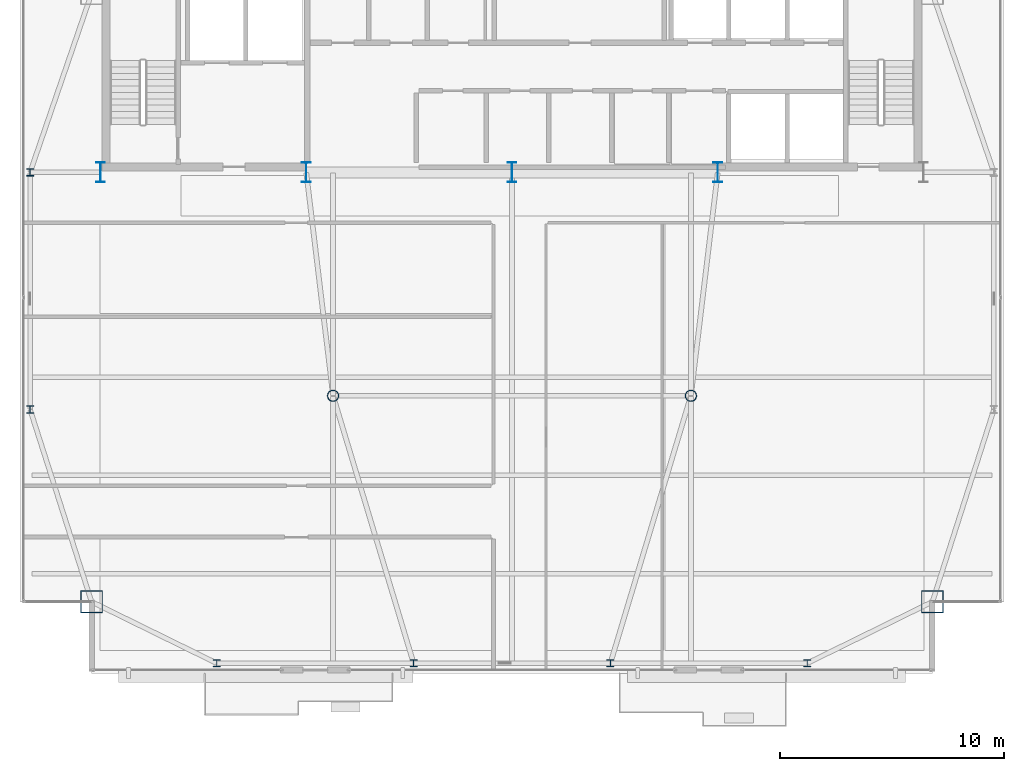
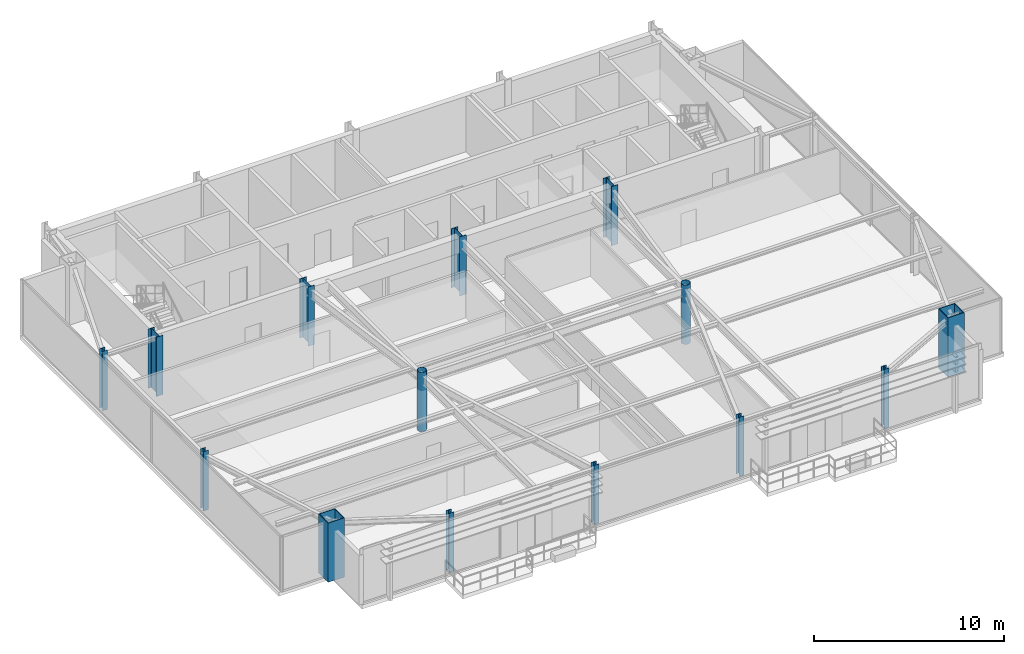
# One storey, part 1 of 23: 14 columns.
"""IFC4 building model written with IfcOpenShell, lengths in metres."""

import ifcopenshell
import ifcopenshell.guid

model = None  # the IFC model being written
_history = None  # IfcOwnerHistory: only IFC2X3 demands one
_inside = {}  # id of a spatial element -> (the spatial element, [elements in it])
_under = {}  # id of a project, library or spatial element -> (it, [spatial elements below it])
_declared = {}  # id of a project -> (the project, [libraries it declares])
_typed = {}  # id of a type object -> (the type object, [elements of that type])
_made_of = {}  # id of a material, layer set ... -> (it, [elements and type objects made of it])


def new_model(schema):
    """Start an empty IFC model of exactly this schema.

    Asked for "IFC4X3", IfcOpenShell would pick the latest addendum, in which some entities
    have other attributes; the version numbers below select the first issue.
    IFC2X3 requires an IfcOwnerHistory on every rooted entity: one is made here for all.
    """
    global model, _history
    if schema == "IFC4X3":
        model = ifcopenshell.file(schema_version=(4, 3, 0, 0))
    else:
        model = ifcopenshell.file(schema=schema)
    _inside.clear()
    _under.clear()
    _declared.clear()
    _typed.clear()
    _made_of.clear()
    _history = None
    if model.schema == "IFC2X3":
        org = make("IfcOrganization", Name="unknown")
        user = make(
            "IfcPersonAndOrganization",
            ThePerson=make("IfcPerson", FamilyName="unknown"),
            TheOrganization=org,
        )
        app = make(
            "IfcApplication",
            ApplicationDeveloper=org,
            Version="unknown",
            ApplicationFullName="unknown",
            ApplicationIdentifier="unknown",
        )
        _history = make(
            "IfcOwnerHistory",
            OwningUser=user,
            OwningApplication=app,
            ChangeAction="ADDED",
            CreationDate=0,
        )
    return model


def make(cls, **values):
    """One entity of the class cls with the attributes given. An attribute that is None is left unset."""
    return model.create_entity(
        cls, **{name: value for name, value in values.items() if value is not None}
    )


def rooted(cls, **values):
    """An entity with a GlobalId (a new one), such as an element, a storey or a relation."""
    return make(cls, GlobalId=ifcopenshell.guid.new(), OwnerHistory=_history, **values)


def si_unit(unit_type, name, prefix=None):
    """IfcSIUnit, for example si_unit("LENGTHUNIT", "METRE", prefix="MILLI")."""
    return make("IfcSIUnit", UnitType=unit_type, Prefix=prefix, Name=name)


def assignment(units):
    """IfcUnitAssignment: the units of a project."""
    return None if units is None else make("IfcUnitAssignment", Units=units)


def point(xyz):
    """IfcCartesianPoint."""
    return None if xyz is None else make("IfcCartesianPoint", Coordinates=xyz)


def direction(xyz):
    """IfcDirection."""
    return None if xyz is None else make("IfcDirection", DirectionRatios=xyz)


def frame(location, z_axis=None, x_axis=None):
    """IfcAxis2Placement3D, a coordinate frame: its origin and axes. An axis left out is left unset."""
    return make(
        "IfcAxis2Placement3D",
        Location=point(location),
        Axis=direction(z_axis),
        RefDirection=direction(x_axis),
    )


def frame_2d(location, x_axis=None):
    """IfcAxis2Placement2D, a coordinate frame in the plane: its origin and x axis."""
    return make(
        "IfcAxis2Placement2D", Location=point(location), RefDirection=direction(x_axis)
    )


def origin():
    """The frame at (0, 0, 0) with its axes left unset."""
    return frame((0.0, 0.0, 0.0))


def origin_2d():
    """The frame at (0, 0) in the plane with its x axis left unset."""
    return frame_2d((0.0, 0.0))


def place(relative_to, where):
    """IfcLocalPlacement: puts the frame where relative to a parent placement (None: the world)."""
    return make(
        "IfcLocalPlacement", PlacementRelTo=relative_to, RelativePlacement=where
    )


def context(
    kind, dimensions, precision=None, world=None, true_north=None, identifier=None
):
    """IfcGeometricRepresentationContext, for example the 3D "Model" context."""
    return make(
        "IfcGeometricRepresentationContext",
        ContextIdentifier=identifier,
        ContextType=kind,
        CoordinateSpaceDimension=dimensions,
        Precision=precision,
        WorldCoordinateSystem=world,
        TrueNorth=true_north,
    )


def subcontext(parent, identifier, kind, view, scale=None):
    """IfcGeometricRepresentationSubContext, for example "Body" below "Model"."""
    return make(
        "IfcGeometricRepresentationSubContext",
        ContextIdentifier=identifier,
        ContextType=kind,
        ParentContext=parent,
        TargetScale=scale,
        TargetView=view,
    )


def project(units=None, contexts=None):
    """IfcProject with its units and contexts."""
    return rooted(
        "IfcProject",
        Name="project",
        RepresentationContexts=contexts,
        UnitsInContext=assignment(units),
    )


def spatial(cls, under=None, at=None, **own):
    """A site, building, storey or space (cls), placed at a placement, below another one or the project."""
    s = rooted(cls, ObjectPlacement=at, **own)
    if under is not None:
        _under.setdefault(under.id(), (under, []))[1].append(s)
    return s


def profile(cls, at=None, kind="AREA", **sizes):
    """A parametric profile (cls). Its sizes go by their IFC names, for example OverallWidth=200.0."""
    return make(cls, ProfileType=kind, Position=at, **sizes)


def hollow_rectangle(**sizes):
    """IfcRectangleHollowProfileDef."""
    return profile("IfcRectangleHollowProfileDef", **sizes)


def hollow_circle(**sizes):
    """IfcCircleHollowProfileDef."""
    return profile("IfcCircleHollowProfileDef", **sizes)


def i_section(**sizes):
    """IfcIShapeProfileDef."""
    return profile("IfcIShapeProfileDef", **sizes)


def extrude(swept, where, along, depth):
    """IfcExtrudedAreaSolid: the profile swept, set in the frame where, extruded along a direction by depth."""
    return make(
        "IfcExtrudedAreaSolid",
        SweptArea=swept,
        Position=where,
        ExtrudedDirection=direction(along),
        Depth=depth,
    )


def shape(context_of_items, identifier, shape_type, items):
    """IfcShapeRepresentation: the items that make up one representation, for example the "Body"."""
    return make(
        "IfcShapeRepresentation",
        ContextOfItems=context_of_items,
        RepresentationIdentifier=identifier,
        RepresentationType=shape_type,
        Items=items,
    )


def source(mapping_origin, context_of_items, identifier, shape_type, items):
    """IfcRepresentationMap: a shape defined once, which mapped items show again and again."""
    return make(
        "IfcRepresentationMap",
        MappingOrigin=mapping_origin,
        MappedRepresentation=shape(context_of_items, identifier, shape_type, items),
    )


def transform(
    local_origin,
    x_axis=None,
    y_axis=None,
    z_axis=None,
    scale=None,
    scale2=None,
    scale3=None,
    uniform=True,
):
    """IfcCartesianTransformationOperator3D, or its non-uniform kind. x_axis, y_axis, z_axis: its Axis1, 2, 3."""
    if uniform:
        return make(
            "IfcCartesianTransformationOperator3D",
            Axis1=direction(x_axis),
            Axis2=direction(y_axis),
            LocalOrigin=point(local_origin),
            Scale=scale,
            Axis3=direction(z_axis),
        )
    return make(
        "IfcCartesianTransformationOperator3DnonUniform",
        Axis1=direction(x_axis),
        Axis2=direction(y_axis),
        LocalOrigin=point(local_origin),
        Scale=scale,
        Axis3=direction(z_axis),
        Scale2=scale2,
        Scale3=scale3,
    )


def mapped(mapping_source, mapping_target):
    """IfcMappedItem: shows the shape of a source again, moved by a transform."""
    return make(
        "IfcMappedItem", MappingSource=mapping_source, MappingTarget=mapping_target
    )


def material(Name=None, Category=None):
    """IfcMaterial."""
    return make("IfcMaterial", Name=Name, Category=Category)


def material_profile(
    of_material, cross_section, Name=None, Category=None, Priority=None
):
    """IfcMaterialProfile: a cross section and its material."""
    return make(
        "IfcMaterialProfile",
        Name=Name,
        Material=of_material,
        Profile=cross_section,
        Priority=Priority,
        Category=Category,
    )


def profile_set(profiles, Name=None, composite=None):
    """IfcMaterialProfileSet."""
    return make(
        "IfcMaterialProfileSet",
        Name=Name,
        MaterialProfiles=profiles,
        CompositeProfile=composite,
    )


def made_of(thing, what):
    """Note that an element or type object is made of a material, layer set ...; save() writes the relation."""
    if what is not None:
        _made_of.setdefault(what.id(), (what, []))[1].append(thing)
    return thing


def type_object(cls, material=None, **own):
    """A type object (cls), such as IfcWallType, which elements share."""
    return made_of(rooted(cls, **own), material)


def type_shapes(of_type, sources):
    """Give a type object the sources (RepresentationMaps) that its elements show as mapped items."""
    of_type.RepresentationMaps = sources


def element(
    cls,
    number,
    at=None,
    inside=None,
    cuts=None,
    type_object=None,
    material=None,
    context=None,
    identifier="Body",
    shape_type=None,
    held_by="IfcProductDefinitionShape",
    body=None,
    shapes=None,
    **own,
):
    """One element of the class cls, such as IfcWall. Its Tag is "e" and its number.

    at: its placement. inside: the storey or other place that contains it. cuts: it is an
    opening in that element (IfcRelVoidsElement). A single representation is given by context,
    identifier, shape_type and body (its items); several are given by shapes. held_by: the class
    of the entity that holds the representations. save() writes the other relations.
    """
    e = rooted(cls, Tag="e%d" % number, ObjectPlacement=at, **own)
    if body is not None:
        shapes = [shape(context, identifier, shape_type, body)]
    if shapes is not None:
        e.Representation = make(held_by, Representations=shapes)
    if inside is not None:
        _inside.setdefault(inside.id(), (inside, []))[1].append(e)
    if cuts is not None:
        rooted(
            "IfcRelVoidsElement", RelatingBuildingElement=cuts, RelatedOpeningElement=e
        )
    if type_object is not None:
        _typed.setdefault(type_object.id(), (type_object, []))[1].append(e)
    return made_of(e, material)


def aggregate(whole, parts):
    """IfcRelAggregates: a whole, such as a stair, and the parts it consists of."""
    return rooted("IfcRelAggregates", RelatingObject=whole, RelatedObjects=parts)


def save(model, path):
    """Write the relations noted so far, then the file.

    IfcRelAggregates (storeys below a building ...), IfcRelContainedInSpatialStructure (elements
    in a storey), IfcRelDefinesByType, IfcRelAssociatesMaterial and IfcRelDeclares: one each for
    every whole, place, type object, material and project.
    """
    for whole, parts in _under.values():
        aggregate(whole, parts)
    for where, things in _inside.values():
        rooted(
            "IfcRelContainedInSpatialStructure",
            RelatedElements=things,
            RelatingStructure=where,
        )
    for kind, things in _typed.values():
        rooted("IfcRelDefinesByType", RelatedObjects=things, RelatingType=kind)
    for what, things in _made_of.values():
        rooted("IfcRelAssociatesMaterial", RelatedObjects=things, RelatingMaterial=what)
    for by, libraries in _declared.values():
        rooted("IfcRelDeclares", RelatingContext=by, RelatedDefinitions=libraries)
    model.write(path)


model = new_model("IFC4")

# Units and contexts
model_context = context("Model", 3, precision=1e-05, world=origin(), true_north=direction((0.0, 1.0)))
body_context = subcontext(model_context, "Body", "Model", "MODEL_VIEW")
ifc_project = project(units=[si_unit("LENGTHUNIT", "METRE"), si_unit("AREAUNIT", "SQUARE_METRE"), si_unit("VOLUMEUNIT", "CUBIC_METRE"), si_unit("PLANEANGLEUNIT", "RADIAN"), si_unit("MASSUNIT", "GRAM", prefix="KILO")], contexts=[model_context])

# Site, building, storey
site_placement = place(None, origin())
site = spatial("IfcSite", under=ifc_project, at=site_placement, CompositionType="ELEMENT")
building_placement = place(site_placement, origin())
building = spatial("IfcBuilding", under=site, at=building_placement, Name="Varnel Quay Broadcast Tower", CompositionType="ELEMENT")
storey_placement = place(building_placement, frame((0.0, 0.0, 266.0)))
storey = spatial("IfcBuildingStorey", under=building, at=storey_placement, Name="L66", CompositionType="ELEMENT", Elevation=266.0)

# Columns
ifc_material_1 = material(Name="Structural Steel CSA G40.21 350WT", Category="steel")
ifc_material_profile_1 = material_profile(ifc_material_1, i_section(OverallWidth=0.39990234375, OverallDepth=0.89990234375, WebThickness=0.01611328125, FlangeThickness=0.028076171875, FilletRadius=0.01611328125, at=origin_2d()), Name="WWF900X309")
ifc_profile_set_1 = profile_set([ifc_material_profile_1], Name="Structural Steel CSA G40.21 350WT")
column_type_1 = type_object("IfcColumnType", Name="Col_WWF900X309", PredefinedType="COLUMN", material=ifc_profile_set_1)
shared_shape_1 = source(origin(), body_context, "Body", "SweptSolid", [
    extrude(i_section(OverallWidth=0.39990234375, OverallDepth=0.89990234375, WebThickness=0.01611328125, FlangeThickness=0.028076171875, FilletRadius=0.01611328125, at=origin_2d()), origin(), (0.0, 0.0, 1.0), 3.800048828125),
])
type_shapes(column_type_1, [shared_shape_1])
for number, where, z_axis, x_axis, name in (
    (1, (15.60009765625, 35.60009765625, 0.0), (0.0, 0.0, 1.0), (1.0, 0.0, 0.0), "L66 Column CC-S1"),
    (2, (24.800048828125, 35.60009765625, 0.0), (0.0, 0.0, 1.0), (1.0, 0.0, 0.0), "L66 Column CC-S2"),
    (3, (34.0, 35.60009765625, 0.0), (0.0, 0.0, 1.0), (1.0, 0.0, 0.0), "L66 Column CC-S3"),
    (4, (43.199951171875, 35.60009765625, 0.0), (0.0, 0.0, 1.0), (1.0, 0.0, 0.0), "L66 Column CC-S4"),
):
    element("IfcColumn", number, at=place(storey_placement, frame(where, z_axis=z_axis, x_axis=x_axis)), inside=storey, type_object=column_type_1, Name=name, PredefinedType="COLUMN", context=body_context, shape_type="MappedRepresentation", body=[
        mapped(shared_shape_1, transform((0.0, 0.0, 0.0), x_axis=(1.0, 0.0, 0.0), y_axis=(0.0, 1.0, 0.0), z_axis=(0.0, 0.0, 1.0), scale=1.0)),
    ])
ifc_material_profile_2 = material_profile(ifc_material_1, hollow_rectangle(XDim=1.0, YDim=1.0, WallThickness=0.0400390625, at=origin_2d()), Name="BOX1000X1000X40")
ifc_profile_set_2 = profile_set([ifc_material_profile_2], Name="Structural Steel CSA G40.21 350WT")
column_type_2 = type_object("IfcColumnType", Name="Col_BOX1000X1000X40", PredefinedType="COLUMN", material=ifc_profile_set_2)
shared_shape_2 = source(origin(), body_context, "Body", "SweptSolid", [
    extrude(hollow_rectangle(XDim=1.0, YDim=1.0, WallThickness=0.0400390625, at=origin_2d()), origin(), (0.0, 0.0, 1.0), 3.800048828125),
])
type_shapes(column_type_2, [shared_shape_2])
for number, where, z_axis, x_axis, name in (
    (5, (15.199951171875, 16.39990234375, 0.0), (0.0, 0.0, 1.0), (1.0, 0.0, 0.0), "L66 Column MC-SW"),
    (6, (52.800048828125, 16.39990234375, 0.0), (0.0, 0.0, 1.0), (1.0, 0.0, 0.0), "L66 Column MC-SE"),
):
    element("IfcColumn", number, at=place(storey_placement, frame(where, z_axis=z_axis, x_axis=x_axis)), inside=storey, type_object=column_type_2, Name=name, PredefinedType="COLUMN", context=body_context, shape_type="MappedRepresentation", body=[
        mapped(shared_shape_2, transform((0.0, 0.0, 0.0), x_axis=(1.0, 0.0, 0.0), y_axis=(0.0, 1.0, 0.0), z_axis=(0.0, 0.0, 1.0), scale=1.0)),
    ])
ifc_material_2 = material(Name="Structural Steel CSA G40.21 350W", Category="steel")
ifc_material_profile_3 = material_profile(ifc_material_2, i_section(OverallWidth=0.30908203125, OverallDepth=0.322998046875, WebThickness=0.013916015625, FlangeThickness=0.02294921875, FilletRadius=0.014892578125, at=origin_2d()), Name="W310X143")
ifc_profile_set_3 = profile_set([ifc_material_profile_3], Name="Structural Steel CSA G40.21 350W")
column_type_3 = type_object("IfcColumnType", Name="Col_W310X143", PredefinedType="COLUMN", material=ifc_profile_set_3)
shared_shape_3 = source(origin(), body_context, "Body", "SweptSolid", [
    extrude(i_section(OverallWidth=0.30908203125, OverallDepth=0.322998046875, WebThickness=0.013916015625, FlangeThickness=0.02294921875, FilletRadius=0.014892578125, at=origin_2d()), origin(), (0.0, 0.0, 1.0), 3.800048828125),
])
type_shapes(column_type_3, [shared_shape_3])
for number, where, z_axis, x_axis, name in (
    (7, (20.800048828125, 13.64990234375, 0.0), (0.0, 0.0, 1.0), (1.0, 0.0, 0.0), "L66 Column TC-S1"),
    (8, (29.60009765625, 13.64990234375, 0.0), (0.0, 0.0, 1.0), (1.0, 0.0, 0.0), "L66 Column TC-S2"),
    (9, (38.39990234375, 13.64990234375, 0.0), (0.0, 0.0, 1.0), (1.0, 0.0, 0.0), "L66 Column TC-S3"),
    (10, (47.199951171875, 13.64990234375, 0.0), (0.0, 0.0, 1.0), (1.0, 0.0, 0.0), "L66 Column TC-S4"),
    (11, (12.449951171875, 25.0, 0.0), (0.0, 0.0, 1.0), (1.0, 0.0, 0.0), "L66 Column TC-W1"),
    (12, (12.449951171875, 35.60009765625, 0.0), (0.0, 0.0, 1.0), (1.0, 0.0, 0.0), "L66 Column TC-W2"),
):
    element("IfcColumn", number, at=place(storey_placement, frame(where, z_axis=z_axis, x_axis=x_axis)), inside=storey, type_object=column_type_3, Name=name, PredefinedType="COLUMN", context=body_context, shape_type="MappedRepresentation", body=[
        mapped(shared_shape_3, transform((0.0, 0.0, 0.0), x_axis=(1.0, 0.0, 0.0), y_axis=(0.0, 1.0, 0.0), z_axis=(0.0, 0.0, 1.0), scale=1.0)),
    ])
ifc_material_profile_4 = material_profile(ifc_material_2, hollow_circle(Radius=0.25390625, WallThickness=0.02001953125, at=origin_2d()), Name="CHS508X20")
ifc_profile_set_4 = profile_set([ifc_material_profile_4], Name="Structural Steel CSA G40.21 350W")
column_type_4 = type_object("IfcColumnType", Name="Col_CHS508X20", PredefinedType="COLUMN", material=ifc_profile_set_4)
shared_shape_4 = source(origin(), body_context, "Body", "SweptSolid", [
    extrude(hollow_circle(Radius=0.25390625, WallThickness=0.02001953125, at=origin_2d()), origin(), (0.0, 0.0, 1.0), 3.800048828125),
])
type_shapes(column_type_4, [shared_shape_4])
for number, where, z_axis, x_axis, name in (
    (13, (26.0, 25.610107421875, 0.0), (0.0, 0.0, 1.0), (1.0, 0.0, 0.0), "L66 Column IC-01"),
    (14, (42.0, 25.610107421875, 0.0), (0.0, 0.0, 1.0), (1.0, 0.0, 0.0), "L66 Column IC-02"),
):
    element("IfcColumn", number, at=place(storey_placement, frame(where, z_axis=z_axis, x_axis=x_axis)), inside=storey, type_object=column_type_4, Name=name, PredefinedType="COLUMN", context=body_context, shape_type="MappedRepresentation", body=[
        mapped(shared_shape_4, transform((0.0, 0.0, 0.0), x_axis=(1.0, 0.0, 0.0), y_axis=(0.0, 1.0, 0.0), z_axis=(0.0, 0.0, 1.0), scale=1.0)),
    ])

save(model, "model.ifc")
